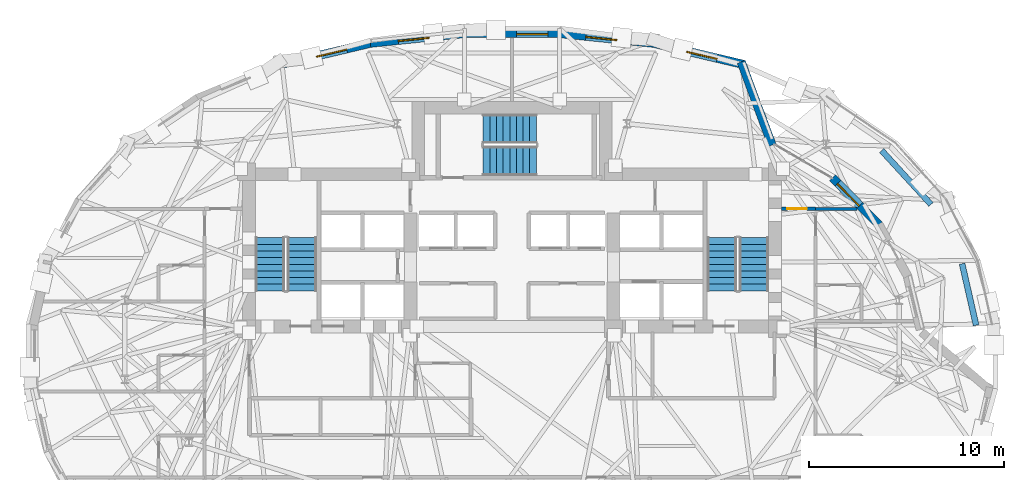
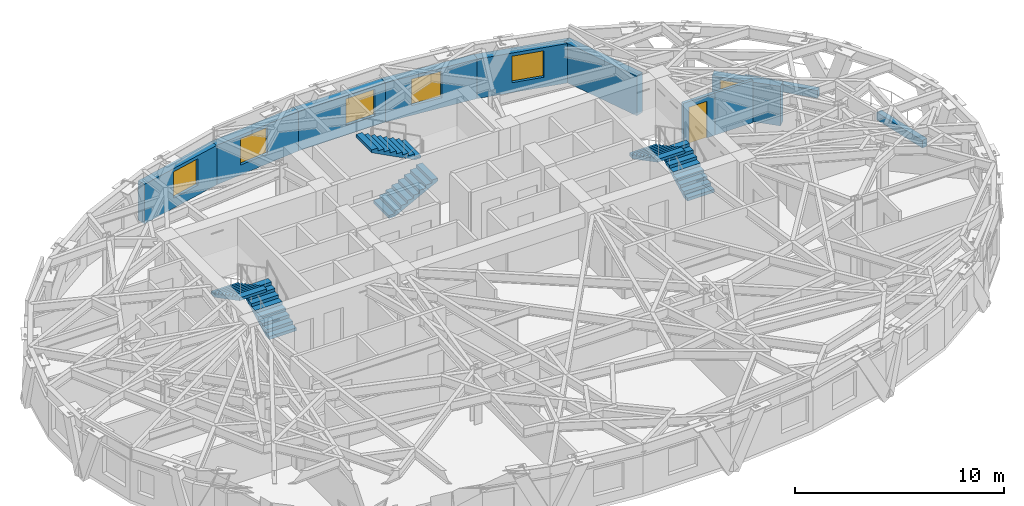
# One storey, part 11 of 15: 11 walls, 6 stair flights, 6 windows, 1 door, 7 openings, 3 elements without a shape of their own.
"""IFC4 building model written with IfcOpenShell, lengths in metres."""

from ifc_helpers import new_model, si_unit, direction, frame, frame_2d, origin, place, context, subcontext, project, spatial, polyline, rectangle, outline, extrude, material, layer, layer_set, type_object, element, fill, aggregate, save


model = new_model("IFC4")

# Units and contexts
model_context = context("Model", 3, precision=1e-05, world=origin(), true_north=direction((0.0, 1.0)))
body_context = subcontext(model_context, "Body", "Model", "MODEL_VIEW")
ifc_project = project(units=[si_unit("LENGTHUNIT", "METRE"), si_unit("AREAUNIT", "SQUARE_METRE"), si_unit("VOLUMEUNIT", "CUBIC_METRE"), si_unit("PLANEANGLEUNIT", "RADIAN"), si_unit("MASSUNIT", "GRAM", prefix="KILO")], contexts=[model_context])

# Site, building, storey
site_placement = place(None, origin())
site = spatial("IfcSite", under=ifc_project, at=site_placement, CompositionType="ELEMENT")
building_placement = place(site_placement, origin())
building = spatial("IfcBuilding", under=site, at=building_placement, Name="Keldmark Tower", CompositionType="ELEMENT")
storey_placement = place(building_placement, frame((0.0, 0.0, 156.60009765625)))
storey = spatial("IfcBuildingStorey", under=building, at=storey_placement, Name="L42", CompositionType="ELEMENT", Elevation=156.60009765625)

# Wall, opening, door
ifc_material_1 = material(Name="Type X Fire-Rated Gypsum Partition Assembly", Category="gypsum")
ifc_layer_1 = layer(ifc_material_1, 0.1650390625)
ifc_layer_set_1 = layer_set([ifc_layer_1], Name="Type X Fire-Rated Gypsum Partition Assembly")
wall_type_1 = type_object("IfcWallType", Name="Rated Partition 165 mm", PredefinedType="PARTITIONING", material=ifc_layer_set_1)
wall_1_placement = place(storey_placement, frame((13.800048828125, 7.550048828125, 0.0), z_axis=(0.0, 0.0, 1.0), x_axis=(1.0, 0.0, 0.0)))
wall_1 = element("IfcWall", 1, at=wall_1_placement, inside=storey, type_object=wall_type_1, Name="L42 Rated Partition 165 mm HCOR-EN", PredefinedType="PARTITIONING", context=body_context, shape_type="SweptSolid", body=[
    extrude(rectangle(XDim=1.75, YDim=0.1650390625, at=frame_2d((0.875, 0.0))), origin(), (0.0, 0.0, 1.0), 2.472900390625),
])
opening_1_placement = place(wall_1_placement, frame((0.300048828125, 0.0, 0.0)))
opening_1 = element("IfcOpeningElement", 2, at=opening_1_placement, cuts=wall_1, Name="Opening D-FD100", PredefinedType="OPENING", context=body_context, shape_type="SweptSolid", body=[
    extrude(rectangle(XDim=1.0, YDim=2.14990234375, at=frame_2d((0.5, 1.074951171875))), frame((0.0, 0.092529296875, 0.0), z_axis=(0.0, -1.0, 0.0), x_axis=(1.0, 0.0, 0.0)), (0.0, 0.0, 1.0), 0.18505859375),
])
ifc_material_2 = material(Name="Hollow Metal Fire-Rated Corridor Door", Category="metal")
door_type = type_object("IfcDoorType", Name="Fire Door 1000x2150", OperationType="NOTDEFINED", PredefinedType="DOOR", material=ifc_material_2)
door_placement = place(opening_1_placement, origin())
door = element("IfcDoor", 3, at=door_placement, inside=storey, type_object=door_type, Name="L42 Fire Door 1000x2150 D-HNNE-L42", OperationType="SINGLE_SWING_RIGHT", OverallHeight=2.14990234375, OverallWidth=1.0, PredefinedType="DOOR", context=body_context, shape_type="SweptSolid", body=[
    extrude(rectangle(XDim=1.0, YDim=2.14990234375, at=frame_2d((0.5, 1.074951171875))), frame((0.0, 0.02490234375, 0.0), z_axis=(0.0, -1.0, 0.0), x_axis=(1.0, 0.0, 0.0)), (0.0, 0.0, 1.0), 0.050048828125),
])
fill(opening_1, door)

# Walls
ifc_material_3 = material(Name="Ironspot Manganese Brick Planter Masonry", Category="masonry")
ifc_layer_2 = layer(ifc_material_3, 0.300048828125)
ifc_layer_set_2 = layer_set([ifc_layer_2], Name="Ironspot Manganese Brick Planter Masonry")
wall_type_2 = type_object("IfcWallType", Name="Terrace Brick Planter Kerb Wall 300 mm", PredefinedType="PARAPET", material=ifc_layer_set_2)
wall_2_placement = place(storey_placement, frame((23.773193359375, 1.587158203125, 0.0), z_axis=(0.0, 0.0, 1.0), x_axis=(-0.222377960138, 0.974960533993, 0.0)))
element("IfcWall", 4, at=wall_2_placement, inside=storey, type_object=wall_type_2, Name="L42 Sky Garden Planter 01", PredefinedType="PARAPET", context=body_context, shape_type="SweptSolid", body=[
    extrude(rectangle(XDim=3.234375, YDim=0.300048828125, at=frame_2d((1.6171875, 0.0))), origin(), (0.0, 0.0, 1.0), 0.449951171875),
])
wall_3_placement = place(storey_placement, frame((21.4619140625, 7.776123046875, 0.0), z_axis=(0.0, 0.0, 1.0), x_axis=(-0.675281078683, 0.737560482112, 0.0)))
element("IfcWall", 5, at=wall_3_placement, inside=storey, type_object=wall_type_2, Name="L42 Sky Garden Planter 03", PredefinedType="PARAPET", context=body_context, shape_type="SweptSolid", body=[
    extrude(rectangle(XDim=3.73974609375, YDim=0.300048828125, at=frame_2d((1.869873046875, 0.0))), origin(), (0.0, 0.0, 1.0), 0.449951171875),
])

# Wall, opening, window
ifc_material_4 = material(Name="Ironspot Manganese Brick and Kasota Buff Limestone Spandrel Assembly", Category="masonry")
ifc_layer_3 = layer(ifc_material_4, 0.43994140625)
ifc_layer_set_3 = layer_set([ifc_layer_3], Name="Ironspot Manganese Brick and Kasota Buff Limestone Spandrel Assembly")
wall_type_3 = type_object("IfcWallType", Name="Tower Brick Pier and Spandrel Wall 440 mm", PredefinedType="STANDARD", material=ifc_layer_set_3)
wall_4_placement = place(storey_placement, frame((16.41162109375, 9.14453125, 0.0), z_axis=(0.0, 0.0, 1.0), x_axis=(0.703666281918, -0.71053062122, 0.0)))
wall_4 = element("IfcWall", 6, at=wall_4_placement, inside=storey, type_object=wall_type_3, Name="L42 Exterior Brick and Spandrel Wall 03", PredefinedType="STANDARD", context=body_context, shape_type="SweptSolid", body=[
    extrude(rectangle(XDim=3.414306640625, YDim=0.43994140625, at=frame_2d((1.70703125, 0.0))), origin(), (0.0, 0.0, 1.0), 2.31884765625),
])
opening_2_placement = place(wall_4_placement, frame((0.39501953125, 0.0, 0.580078125)))
opening_2 = element("IfcOpeningElement", 7, at=opening_2_placement, cuts=wall_4, Name="Opening W-04", PredefinedType="OPENING", context=body_context, shape_type="SweptSolid", body=[
    extrude(rectangle(XDim=1.60009765625, YDim=1.550048828125, at=frame_2d((0.800048828125, 0.77490234375))), frame((0.0, 0.22998046875, 0.0), z_axis=(0.0, -1.0, 0.0), x_axis=(1.0, 0.0, 0.0)), (0.0, 0.0, 1.0), 0.4599609375),
])
ifc_material_5 = material(Name="Thermally Broken Anodized Aluminum and Triple Low-E Argon Glazing", Category="aluminium")
window_type = type_object("IfcWindowType", Name="Hotel Deep-Set Operable Window 1600x1550", PartitioningType="DOUBLE_PANEL_HORIZONTAL", PredefinedType="WINDOW", material=ifc_material_5)
window_1_placement = place(opening_2_placement, origin())
window_1 = element("IfcWindow", 8, at=window_1_placement, inside=storey, type_object=window_type, Name="L42 Deep-Set Window 03", OverallHeight=1.550048828125, OverallWidth=1.60009765625, PartitioningType="SINGLE_PANEL", PredefinedType="WINDOW", context=body_context, shape_type="SweptSolid", body=[
    extrude(rectangle(XDim=1.60009765625, YDim=1.550048828125, at=frame_2d((0.800048828125, 0.77490234375))), frame((0.0, -0.010009765625, 0.0), z_axis=(0.0, -1.0, 0.0), x_axis=(1.0, 0.0, 0.0)), (0.0, 0.0, 1.0), 0.06005859375),
])
fill(opening_2, window_1)

# Wall
wall_5_placement = place(storey_placement, frame((11.74267578125, 15.0771484375, 0.0), z_axis=(0.0, 0.0, 1.0), x_axis=(0.347029196507, -0.937854325987, 0.0)))
element("IfcWall", 9, at=wall_5_placement, inside=storey, type_object=wall_type_3, Name="L42 Exterior Brick and Spandrel Wall 05", PredefinedType="STANDARD", context=body_context, shape_type="SweptSolid", body=[
    extrude(rectangle(XDim=4.54541015625, YDim=0.43994140625, at=frame_2d((2.272705078125, 0.0))), origin(), (0.0, 0.0, 1.0), 2.31494140625),
])

# Wall, opening, window
wall_6_placement = place(storey_placement, frame((7.22509765625, 16.043701171875, 0.0), z_axis=(0.0, 0.0, 1.0), x_axis=(0.973201371538, -0.229954539936, 0.0)))
wall_6 = element("IfcWall", 10, at=wall_6_placement, inside=storey, type_object=wall_type_3, Name="L42 Exterior Brick and Spandrel Wall 06", PredefinedType="STANDARD", context=body_context, shape_type="SweptSolid", body=[
    extrude(rectangle(XDim=4.802001953125, YDim=0.43994140625, at=frame_2d((2.40087890625, 0.0))), origin(), (0.0, 0.0, 1.0), 2.31494140625),
])
opening_3_placement = place(wall_6_placement, frame((1.773193359375, 0.0, 0.580078125)))
opening_3 = element("IfcOpeningElement", 11, at=opening_3_placement, cuts=wall_6, Name="Opening W-04", PredefinedType="OPENING", context=body_context, shape_type="SweptSolid", body=[
    extrude(rectangle(XDim=1.60009765625, YDim=1.550048828125, at=frame_2d((0.800048828125, 0.77490234375))), frame((0.0, 0.22998046875, 0.0), z_axis=(0.0, -1.0, 0.0), x_axis=(1.0, 0.0, 0.0)), (0.0, 0.0, 1.0), 0.4599609375),
])
window_2_placement = place(opening_3_placement, origin())
window_2 = element("IfcWindow", 12, at=window_2_placement, inside=storey, type_object=window_type, Name="L42 Deep-Set Window 06", OverallHeight=1.550048828125, OverallWidth=1.60009765625, PartitioningType="SINGLE_PANEL", PredefinedType="WINDOW", context=body_context, shape_type="SweptSolid", body=[
    extrude(rectangle(XDim=1.60009765625, YDim=1.550048828125, at=frame_2d((0.800048828125, 0.77490234375))), frame((0.0, -0.010009765625, 0.0), z_axis=(0.0, -1.0, 0.0), x_axis=(1.0, 0.0, 0.0)), (0.0, 0.0, 1.0), 0.06005859375),
])
fill(opening_3, window_2)

wall_7_placement = place(storey_placement, frame((2.412109375, 16.53857421875, 0.0), z_axis=(0.0, 0.0, 1.0), x_axis=(0.994718319881, -0.10264240884, 0.0)))
wall_7 = element("IfcWall", 13, at=wall_7_placement, inside=storey, type_object=wall_type_3, Name="L42 Exterior Brick and Spandrel Wall 07", PredefinedType="STANDARD", context=body_context, shape_type="SweptSolid", body=[
    extrude(rectangle(XDim=4.866455078125, YDim=0.43994140625, at=frame_2d((2.43310546875, 0.0))), origin(), (0.0, 0.0, 1.0), 2.31494140625),
])
opening_4_placement = place(wall_7_placement, frame((1.385986328125, 0.0, 0.580078125)))
opening_4 = element("IfcOpeningElement", 14, at=opening_4_placement, cuts=wall_7, Name="Opening W-04", PredefinedType="OPENING", context=body_context, shape_type="SweptSolid", body=[
    extrude(rectangle(XDim=1.60009765625, YDim=1.550048828125, at=frame_2d((0.800048828125, 0.77490234375))), frame((0.0, 0.22998046875, 0.0), z_axis=(0.0, -1.0, 0.0), x_axis=(1.0, 0.0, 0.0)), (0.0, 0.0, 1.0), 0.4599609375),
])
window_3_placement = place(opening_4_placement, origin())
window_3 = element("IfcWindow", 15, at=window_3_placement, inside=storey, type_object=window_type, Name="L42 Deep-Set Window 07", OverallHeight=1.550048828125, OverallWidth=1.60009765625, PartitioningType="SINGLE_PANEL", PredefinedType="WINDOW", context=body_context, shape_type="SweptSolid", body=[
    extrude(rectangle(XDim=1.60009765625, YDim=1.550048828125, at=frame_2d((0.800048828125, 0.77490234375))), frame((0.0, -0.010009765625, 0.0), z_axis=(0.0, -1.0, 0.0), x_axis=(1.0, 0.0, 0.0)), (0.0, 0.0, 1.0), 0.06005859375),
])
fill(opening_4, window_3)

wall_8_placement = place(storey_placement, frame((-2.434814453125, 16.537353515625, 0.0), z_axis=(0.0, 0.0, 1.0), x_axis=(1.0, 0.0, 0.0)))
wall_8 = element("IfcWall", 16, at=wall_8_placement, inside=storey, type_object=wall_type_3, Name="L42 Exterior Brick and Spandrel Wall 08", PredefinedType="STANDARD", context=body_context, shape_type="SweptSolid", body=[
    extrude(rectangle(XDim=4.86962890625, YDim=0.43994140625, at=frame_2d((2.434814453125, 0.0))), origin(), (0.0, 0.0, 1.0), 2.31494140625),
])
opening_5_placement = place(wall_8_placement, frame((2.673828125, 0.0, 0.580078125)))
opening_5 = element("IfcOpeningElement", 17, at=opening_5_placement, cuts=wall_8, Name="Opening W-04", PredefinedType="OPENING", context=body_context, shape_type="SweptSolid", body=[
    extrude(rectangle(XDim=1.60009765625, YDim=1.550048828125, at=frame_2d((0.800048828125, 0.77490234375))), frame((0.0, 0.22998046875, 0.0), z_axis=(0.0, -1.0, 0.0), x_axis=(1.0, 0.0, 0.0)), (0.0, 0.0, 1.0), 0.4599609375),
])
window_4_placement = place(opening_5_placement, origin())
window_4 = element("IfcWindow", 18, at=window_4_placement, inside=storey, type_object=window_type, Name="L42 Deep-Set Window 08", OverallHeight=1.550048828125, OverallWidth=1.60009765625, PartitioningType="SINGLE_PANEL", PredefinedType="WINDOW", context=body_context, shape_type="SweptSolid", body=[
    extrude(rectangle(XDim=1.60009765625, YDim=1.550048828125, at=frame_2d((0.800048828125, 0.77490234375))), frame((0.0, -0.010009765625, 0.0), z_axis=(0.0, -1.0, 0.0), x_axis=(1.0, 0.0, 0.0)), (0.0, 0.0, 1.0), 0.06005859375),
])
fill(opening_5, window_4)

wall_9_placement = place(storey_placement, frame((-7.2529296875, 16.0390625, 0.0), z_axis=(0.0, 0.0, 1.0), x_axis=(0.994718319881, 0.10264240884, 0.0)))
wall_9 = element("IfcWall", 19, at=wall_9_placement, inside=storey, type_object=wall_type_3, Name="L42 Exterior Brick and Spandrel Wall 09", PredefinedType="STANDARD", context=body_context, shape_type="SweptSolid", body=[
    extrude(rectangle(XDim=4.866455078125, YDim=0.43994140625, at=frame_2d((2.43310546875, 0.0))), origin(), (0.0, 0.0, 1.0), 2.31494140625),
])
opening_6_placement = place(wall_9_placement, frame((1.435546875, 0.0, 0.580078125)))
opening_6 = element("IfcOpeningElement", 20, at=opening_6_placement, cuts=wall_9, Name="Opening W-04", PredefinedType="OPENING", context=body_context, shape_type="SweptSolid", body=[
    extrude(rectangle(XDim=1.60009765625, YDim=1.550048828125, at=frame_2d((0.800048828125, 0.77490234375))), frame((0.0, 0.22998046875, 0.0), z_axis=(0.0, -1.0, 0.0), x_axis=(1.0, 0.0, 0.0)), (0.0, 0.0, 1.0), 0.4599609375),
])
window_5_placement = place(opening_6_placement, origin())
window_5 = element("IfcWindow", 21, at=window_5_placement, inside=storey, type_object=window_type, Name="L42 Deep-Set Window 09", OverallHeight=1.550048828125, OverallWidth=1.60009765625, PartitioningType="SINGLE_PANEL", PredefinedType="WINDOW", context=body_context, shape_type="SweptSolid", body=[
    extrude(rectangle(XDim=1.60009765625, YDim=1.550048828125, at=frame_2d((0.800048828125, 0.77490234375))), frame((0.0, -0.010009765625, 0.0), z_axis=(0.0, -1.0, 0.0), x_axis=(1.0, 0.0, 0.0)), (0.0, 0.0, 1.0), 0.06005859375),
])
fill(opening_6, window_5)

wall_10_placement = place(storey_placement, frame((-11.8984375, 14.939453125, 0.0), z_axis=(0.0, 0.0, 1.0), x_axis=(0.973201371538, 0.229954539936, 0.0)))
wall_10 = element("IfcWall", 22, at=wall_10_placement, inside=storey, type_object=wall_type_3, Name="L42 Exterior Brick and Spandrel Wall 10", PredefinedType="STANDARD", context=body_context, shape_type="SweptSolid", body=[
    extrude(rectangle(XDim=4.802001953125, YDim=0.43994140625, at=frame_2d((2.40087890625, 0.0))), origin(), (0.0, 0.0, 1.0), 2.31494140625),
])
opening_7_placement = place(wall_10_placement, frame((1.920654296875, 0.0, 0.580078125)))
opening_7 = element("IfcOpeningElement", 23, at=opening_7_placement, cuts=wall_10, Name="Opening W-04", PredefinedType="OPENING", context=body_context, shape_type="SweptSolid", body=[
    extrude(rectangle(XDim=1.60009765625, YDim=1.550048828125, at=frame_2d((0.800048828125, 0.77490234375))), frame((0.0, 0.22998046875, 0.0), z_axis=(0.0, -1.0, 0.0), x_axis=(1.0, 0.0, 0.0)), (0.0, 0.0, 1.0), 0.4599609375),
])
window_6_placement = place(opening_7_placement, origin())
window_6 = element("IfcWindow", 24, at=window_6_placement, inside=storey, type_object=window_type, Name="L42 Deep-Set Window 10", OverallHeight=1.550048828125, OverallWidth=1.60009765625, PartitioningType="SINGLE_PANEL", PredefinedType="WINDOW", context=body_context, shape_type="SweptSolid", body=[
    extrude(rectangle(XDim=1.60009765625, YDim=1.550048828125, at=frame_2d((0.800048828125, 0.77490234375))), frame((0.0, -0.010009765625, 0.0), z_axis=(0.0, -1.0, 0.0), x_axis=(1.0, 0.0, 0.0)), (0.0, 0.0, 1.0), 0.06005859375),
])
fill(opening_7, window_6)

# Wall
ifc_material_6 = material(Name="Moisture-Resistant Gypsum Plumbing Partition", Category="gypsum")
ifc_layer_4 = layer(ifc_material_6, 0.14990234375)
ifc_layer_set_4 = layer_set([ifc_layer_4], Name="Moisture-Resistant Gypsum Plumbing Partition")
wall_type_4 = type_object("IfcWallType", Name="Wet Wall 150 mm", PredefinedType="PLUMBINGWALL", material=ifc_layer_set_4)
wall_11_placement = place(storey_placement, frame((15.550048828125, 7.550048828125, 0.0), z_axis=(0.0, 0.0, 1.0), x_axis=(1.0, 0.0, 0.0)))
element("IfcWall", 25, at=wall_11_placement, inside=storey, type_object=wall_type_4, Name="L42 Wet Wall 150 mm HE-CAP-N", PredefinedType="PLUMBINGWALL", context=body_context, shape_type="SweptSolid", body=[
    extrude(rectangle(XDim=2.119873046875, YDim=0.14990234375, at=frame_2d((1.06005859375, 0.0))), origin(), (0.0, 0.0, 1.0), 2.472900390625),
])

# Stair, stair flights
ifc_material_7 = material(Name="Concrete C40/50", Category="concrete")
stair_type = type_object("IfcStairType", Name="Precast Concrete Core Exit Stair", PredefinedType="HALF_TURN_STAIR", material=ifc_material_7)
stair_1_placement = place(storey_placement, origin())
stair_1 = element("IfcStair", 26, at=stair_1_placement, inside=storey, type_object=stair_type, Name="L42 Exit Stair ST1", PredefinedType="HALF_TURN_STAIR")
ifc_material_8 = material(Name="Concrete C40/50", Category="concrete")
stair_flight_type = type_object("IfcStairFlightType", Name="Precast Concrete Stair Flight 1500 mm", PredefinedType="STRAIGHT", material=ifc_material_8)
stair_flight_1_placement = place(storey_placement, frame((-10.75, 3.35009765625, 0.0), z_axis=(0.0, 0.0, 1.0), x_axis=(0.0, 1.0, 0.0)))
stair_flight_1 = element("IfcStairFlight", 27, at=stair_flight_1_placement, type_object=stair_flight_type, Name="ST1 flight 1", NumberOfRisers=9, NumberOfTreads=8, PredefinedType="STRAIGHT", RiserHeight=0.177777778, TreadLength=0.34, context=body_context, shape_type="SweptSolid", body=[
    extrude(outline(polyline([(0.0, 0.0), (0.0, 0.177734375), (0.340087890625, 0.177734375), (0.340087890625, 0.35546875), (0.679931640625, 0.35546875), (0.679931640625, 0.533447265625), (1.02001953125, 0.533447265625), (1.02001953125, 0.711181640625), (1.360107421875, 0.711181640625), (1.360107421875, 0.888916015625), (1.699951171875, 0.888916015625), (1.699951171875, 1.066650390625), (2.0400390625, 1.066650390625), (2.0400390625, 1.244384765625), (2.3798828125, 1.244384765625), (2.3798828125, 1.422119140625), (2.719970703125, 1.422119140625), (2.719970703125, 1.60009765625), (2.719970703125, 1.253173828125), (0.323486328125, 0.0), (0.0, 0.0)])), frame((0.0, 0.75, 0.0), z_axis=(0.0, -1.0, 0.0), x_axis=(1.0, 0.0, 0.0)), (0.0, 0.0, 1.0), 1.5),
])
stair_flight_2_placement = place(storey_placement, frame((-12.39990234375, 6.070068359375, 1.599853515625), z_axis=(0.0, 0.0, 1.0), x_axis=(0.0, -1.0, 0.0)))
stair_flight_2 = element("IfcStairFlight", 28, at=stair_flight_2_placement, type_object=stair_flight_type, Name="ST1 flight 2", NumberOfRisers=9, NumberOfTreads=8, PredefinedType="STRAIGHT", RiserHeight=0.177777778, TreadLength=0.34, context=body_context, shape_type="SweptSolid", body=[
    extrude(outline(polyline([(0.0, 0.0), (0.0, 0.177734375), (0.340087890625, 0.177734375), (0.340087890625, 0.35546875), (0.679931640625, 0.35546875), (0.679931640625, 0.533447265625), (1.02001953125, 0.533447265625), (1.02001953125, 0.711181640625), (1.360107421875, 0.711181640625), (1.360107421875, 0.888916015625), (1.699951171875, 0.888916015625), (1.699951171875, 1.066650390625), (2.0400390625, 1.066650390625), (2.0400390625, 1.244384765625), (2.3798828125, 1.244384765625), (2.3798828125, 1.422119140625), (2.719970703125, 1.422119140625), (2.719970703125, 1.60009765625), (2.719970703125, 1.253173828125), (0.323486328125, 0.0), (0.0, 0.0)])), frame((0.0, 0.75, 0.0), z_axis=(0.0, -1.0, 0.0), x_axis=(1.0, 0.0, 0.0)), (0.0, 0.0, 1.0), 1.5),
])
aggregate(stair_1, [stair_flight_1, stair_flight_2])

stair_2_placement = place(storey_placement, origin())
stair_2 = element("IfcStair", 29, at=stair_2_placement, inside=storey, type_object=stair_type, Name="L42 Exit Stair ST2", PredefinedType="HALF_TURN_STAIR")
stair_flight_3_placement = place(storey_placement, frame((12.39990234375, 3.35009765625, 0.0), z_axis=(0.0, 0.0, 1.0), x_axis=(0.0, 1.0, 0.0)))
stair_flight_3 = element("IfcStairFlight", 30, at=stair_flight_3_placement, type_object=stair_flight_type, Name="ST2 flight 1", NumberOfRisers=9, NumberOfTreads=8, PredefinedType="STRAIGHT", RiserHeight=0.177777778, TreadLength=0.34, context=body_context, shape_type="SweptSolid", body=[
    extrude(outline(polyline([(0.0, 0.0), (0.0, 0.177734375), (0.340087890625, 0.177734375), (0.340087890625, 0.35546875), (0.679931640625, 0.35546875), (0.679931640625, 0.533447265625), (1.02001953125, 0.533447265625), (1.02001953125, 0.711181640625), (1.360107421875, 0.711181640625), (1.360107421875, 0.888916015625), (1.699951171875, 0.888916015625), (1.699951171875, 1.066650390625), (2.0400390625, 1.066650390625), (2.0400390625, 1.244384765625), (2.3798828125, 1.244384765625), (2.3798828125, 1.422119140625), (2.719970703125, 1.422119140625), (2.719970703125, 1.60009765625), (2.719970703125, 1.253173828125), (0.323486328125, 0.0), (0.0, 0.0)])), frame((0.0, 0.75, 0.0), z_axis=(0.0, -1.0, 0.0), x_axis=(1.0, 0.0, 0.0)), (0.0, 0.0, 1.0), 1.5),
])
stair_flight_4_placement = place(storey_placement, frame((10.75, 6.070068359375, 1.599853515625), z_axis=(0.0, 0.0, 1.0), x_axis=(0.0, -1.0, 0.0)))
stair_flight_4 = element("IfcStairFlight", 31, at=stair_flight_4_placement, type_object=stair_flight_type, Name="ST2 flight 2", NumberOfRisers=9, NumberOfTreads=8, PredefinedType="STRAIGHT", RiserHeight=0.177777778, TreadLength=0.34, context=body_context, shape_type="SweptSolid", body=[
    extrude(outline(polyline([(0.0, 0.0), (0.0, 0.177734375), (0.340087890625, 0.177734375), (0.340087890625, 0.35546875), (0.679931640625, 0.35546875), (0.679931640625, 0.533447265625), (1.02001953125, 0.533447265625), (1.02001953125, 0.711181640625), (1.360107421875, 0.711181640625), (1.360107421875, 0.888916015625), (1.699951171875, 0.888916015625), (1.699951171875, 1.066650390625), (2.0400390625, 1.066650390625), (2.0400390625, 1.244384765625), (2.3798828125, 1.244384765625), (2.3798828125, 1.422119140625), (2.719970703125, 1.422119140625), (2.719970703125, 1.60009765625), (2.719970703125, 1.253173828125), (0.323486328125, 0.0), (0.0, 0.0)])), frame((0.0, 0.75, 0.0), z_axis=(0.0, -1.0, 0.0), x_axis=(1.0, 0.0, 0.0)), (0.0, 0.0, 1.0), 1.5),
])
aggregate(stair_2, [stair_flight_3, stair_flight_4])

stair_3_placement = place(storey_placement, origin())
stair_3 = element("IfcStair", 32, at=stair_3_placement, inside=storey, type_object=stair_type, Name="L42 Exit Stair ST3", PredefinedType="HALF_TURN_STAIR")
stair_flight_5_placement = place(storey_placement, frame((-1.47509765625, 10.0, 0.0), z_axis=(0.0, 0.0, 1.0), x_axis=(1.0, 0.0, 0.0)))
stair_flight_5 = element("IfcStairFlight", 33, at=stair_flight_5_placement, type_object=stair_flight_type, Name="ST3 flight 1", NumberOfRisers=9, NumberOfTreads=8, PredefinedType="STRAIGHT", RiserHeight=0.177777778, TreadLength=0.34, context=body_context, shape_type="SweptSolid", body=[
    extrude(outline(polyline([(0.0, 0.0), (0.0, 0.177734375), (0.340087890625, 0.177734375), (0.340087890625, 0.35546875), (0.679931640625, 0.35546875), (0.679931640625, 0.533447265625), (1.02001953125, 0.533447265625), (1.02001953125, 0.711181640625), (1.360107421875, 0.711181640625), (1.360107421875, 0.888916015625), (1.699951171875, 0.888916015625), (1.699951171875, 1.066650390625), (2.0400390625, 1.066650390625), (2.0400390625, 1.244384765625), (2.3798828125, 1.244384765625), (2.3798828125, 1.422119140625), (2.719970703125, 1.422119140625), (2.719970703125, 1.60009765625), (2.719970703125, 1.253173828125), (0.323486328125, 0.0), (0.0, 0.0)])), frame((0.0, 0.75, 0.0), z_axis=(0.0, -1.0, 0.0), x_axis=(1.0, 0.0, 0.0)), (0.0, 0.0, 1.0), 1.5),
])
stair_flight_6_placement = place(storey_placement, frame((1.2451171875, 11.64990234375, 1.599853515625), z_axis=(0.0, 0.0, 1.0), x_axis=(-1.0, 0.0, 0.0)))
stair_flight_6 = element("IfcStairFlight", 34, at=stair_flight_6_placement, type_object=stair_flight_type, Name="ST3 flight 2", NumberOfRisers=9, NumberOfTreads=8, PredefinedType="STRAIGHT", RiserHeight=0.177777778, TreadLength=0.34, context=body_context, shape_type="SweptSolid", body=[
    extrude(outline(polyline([(0.0, 0.0), (0.0, 0.177734375), (0.340087890625, 0.177734375), (0.340087890625, 0.35546875), (0.679931640625, 0.35546875), (0.679931640625, 0.533447265625), (1.02001953125, 0.533447265625), (1.02001953125, 0.711181640625), (1.360107421875, 0.711181640625), (1.360107421875, 0.888916015625), (1.699951171875, 0.888916015625), (1.699951171875, 1.066650390625), (2.0400390625, 1.066650390625), (2.0400390625, 1.244384765625), (2.3798828125, 1.244384765625), (2.3798828125, 1.422119140625), (2.719970703125, 1.422119140625), (2.719970703125, 1.60009765625), (2.719970703125, 1.253173828125), (0.323486328125, 0.0), (0.0, 0.0)])), frame((0.0, 0.75, 0.0), z_axis=(0.0, -1.0, 0.0), x_axis=(1.0, 0.0, 0.0)), (0.0, 0.0, 1.0), 1.5),
])
aggregate(stair_3, [stair_flight_5, stair_flight_6])

save(model, "model.ifc")
